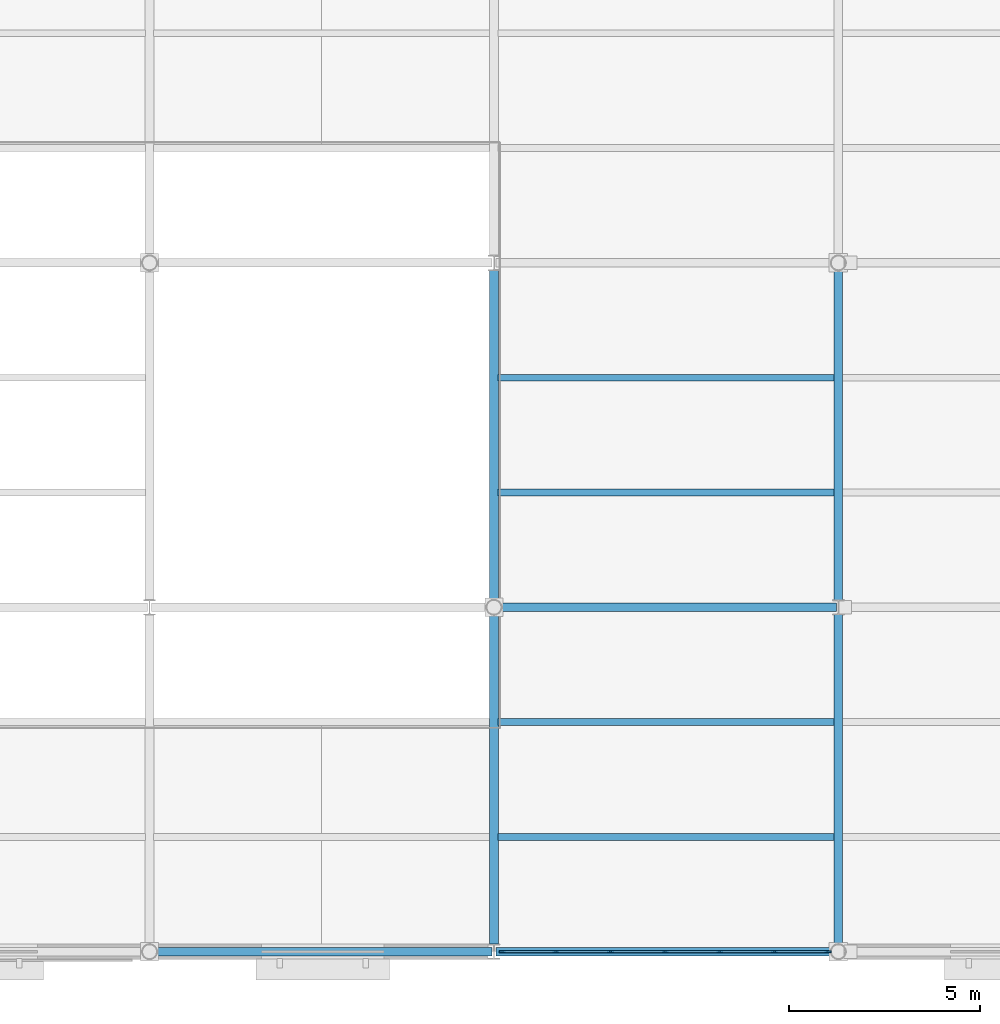
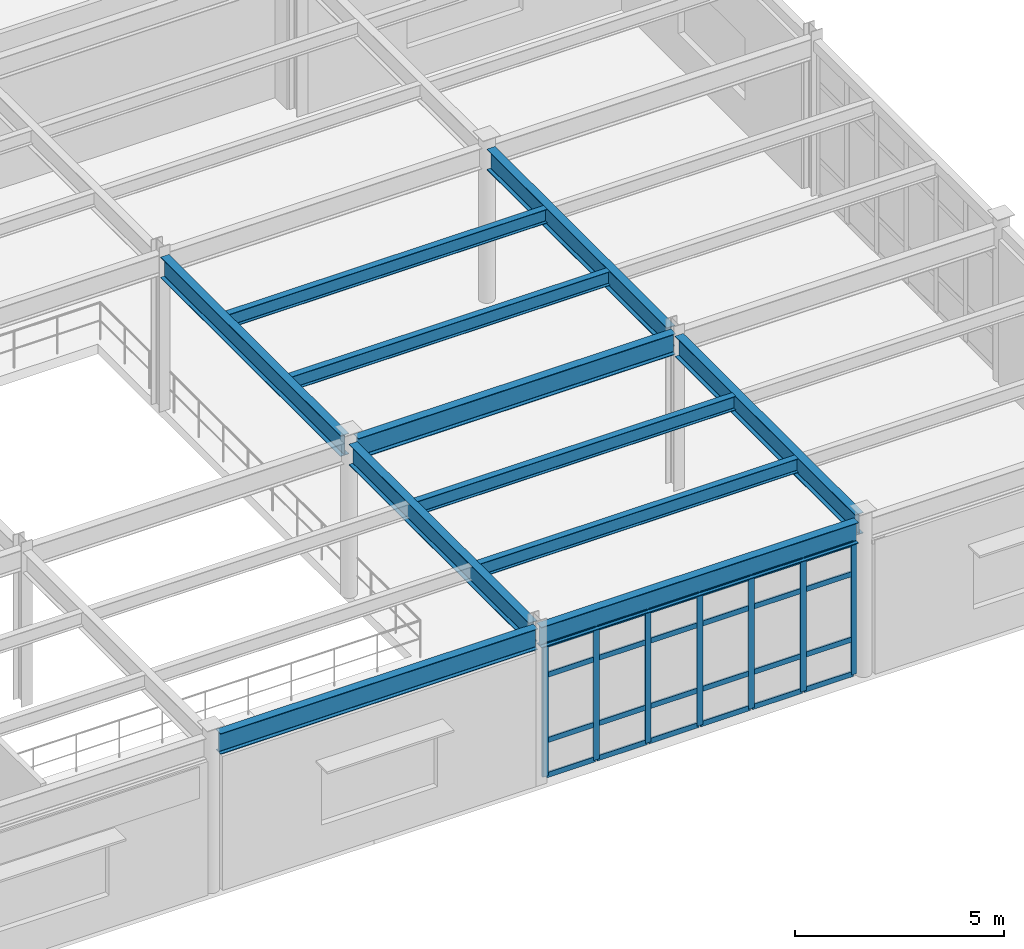
# One storey, part 27 of 86: 31 members, 11 beams, 1 element without a shape of its own.
"""IFC4 building model written with IfcOpenShell, lengths in metres."""

import ifcopenshell
import ifcopenshell.guid

model = None  # the IFC model being written
_history = None  # IfcOwnerHistory: only IFC2X3 demands one
_inside = {}  # id of a spatial element -> (the spatial element, [elements in it])
_under = {}  # id of a project, library or spatial element -> (it, [spatial elements below it])
_declared = {}  # id of a project -> (the project, [libraries it declares])
_typed = {}  # id of a type object -> (the type object, [elements of that type])
_made_of = {}  # id of a material, layer set ... -> (it, [elements and type objects made of it])


def new_model(schema):
    """Start an empty IFC model of exactly this schema.

    Asked for "IFC4X3", IfcOpenShell would pick the latest addendum, in which some entities
    have other attributes; the version numbers below select the first issue.
    IFC2X3 requires an IfcOwnerHistory on every rooted entity: one is made here for all.
    """
    global model, _history
    if schema == "IFC4X3":
        model = ifcopenshell.file(schema_version=(4, 3, 0, 0))
    else:
        model = ifcopenshell.file(schema=schema)
    _inside.clear()
    _under.clear()
    _declared.clear()
    _typed.clear()
    _made_of.clear()
    _history = None
    if model.schema == "IFC2X3":
        org = make("IfcOrganization", Name="unknown")
        user = make(
            "IfcPersonAndOrganization",
            ThePerson=make("IfcPerson", FamilyName="unknown"),
            TheOrganization=org,
        )
        app = make(
            "IfcApplication",
            ApplicationDeveloper=org,
            Version="unknown",
            ApplicationFullName="unknown",
            ApplicationIdentifier="unknown",
        )
        _history = make(
            "IfcOwnerHistory",
            OwningUser=user,
            OwningApplication=app,
            ChangeAction="ADDED",
            CreationDate=0,
        )
    return model


def make(cls, **values):
    """One entity of the class cls with the attributes given. An attribute that is None is left unset."""
    return model.create_entity(
        cls, **{name: value for name, value in values.items() if value is not None}
    )


def rooted(cls, **values):
    """An entity with a GlobalId (a new one), such as an element, a storey or a relation."""
    return make(cls, GlobalId=ifcopenshell.guid.new(), OwnerHistory=_history, **values)


def si_unit(unit_type, name, prefix=None):
    """IfcSIUnit, for example si_unit("LENGTHUNIT", "METRE", prefix="MILLI")."""
    return make("IfcSIUnit", UnitType=unit_type, Prefix=prefix, Name=name)


def assignment(units):
    """IfcUnitAssignment: the units of a project."""
    return None if units is None else make("IfcUnitAssignment", Units=units)


def point(xyz):
    """IfcCartesianPoint."""
    return None if xyz is None else make("IfcCartesianPoint", Coordinates=xyz)


def direction(xyz):
    """IfcDirection."""
    return None if xyz is None else make("IfcDirection", DirectionRatios=xyz)


def frame(location, z_axis=None, x_axis=None):
    """IfcAxis2Placement3D, a coordinate frame: its origin and axes. An axis left out is left unset."""
    return make(
        "IfcAxis2Placement3D",
        Location=point(location),
        Axis=direction(z_axis),
        RefDirection=direction(x_axis),
    )


def frame_2d(location, x_axis=None):
    """IfcAxis2Placement2D, a coordinate frame in the plane: its origin and x axis."""
    return make(
        "IfcAxis2Placement2D", Location=point(location), RefDirection=direction(x_axis)
    )


def origin():
    """The frame at (0, 0, 0) with its axes left unset."""
    return frame((0.0, 0.0, 0.0))


def origin_2d():
    """The frame at (0, 0) in the plane with its x axis left unset."""
    return frame_2d((0.0, 0.0))


def place(relative_to, where):
    """IfcLocalPlacement: puts the frame where relative to a parent placement (None: the world)."""
    return make(
        "IfcLocalPlacement", PlacementRelTo=relative_to, RelativePlacement=where
    )


def context(
    kind, dimensions, precision=None, world=None, true_north=None, identifier=None
):
    """IfcGeometricRepresentationContext, for example the 3D "Model" context."""
    return make(
        "IfcGeometricRepresentationContext",
        ContextIdentifier=identifier,
        ContextType=kind,
        CoordinateSpaceDimension=dimensions,
        Precision=precision,
        WorldCoordinateSystem=world,
        TrueNorth=true_north,
    )


def subcontext(parent, identifier, kind, view, scale=None):
    """IfcGeometricRepresentationSubContext, for example "Body" below "Model"."""
    return make(
        "IfcGeometricRepresentationSubContext",
        ContextIdentifier=identifier,
        ContextType=kind,
        ParentContext=parent,
        TargetScale=scale,
        TargetView=view,
    )


def project(units=None, contexts=None):
    """IfcProject with its units and contexts."""
    return rooted(
        "IfcProject",
        Name="project",
        RepresentationContexts=contexts,
        UnitsInContext=assignment(units),
    )


def spatial(cls, under=None, at=None, **own):
    """A site, building, storey or space (cls), placed at a placement, below another one or the project."""
    s = rooted(cls, ObjectPlacement=at, **own)
    if under is not None:
        _under.setdefault(under.id(), (under, []))[1].append(s)
    return s


def profile(cls, at=None, kind="AREA", **sizes):
    """A parametric profile (cls). Its sizes go by their IFC names, for example OverallWidth=200.0."""
    return make(cls, ProfileType=kind, Position=at, **sizes)


def rectangle(**sizes):
    """IfcRectangleProfileDef."""
    return profile("IfcRectangleProfileDef", **sizes)


def i_section(**sizes):
    """IfcIShapeProfileDef."""
    return profile("IfcIShapeProfileDef", **sizes)


def extrude(swept, where, along, depth):
    """IfcExtrudedAreaSolid: the profile swept, set in the frame where, extruded along a direction by depth."""
    return make(
        "IfcExtrudedAreaSolid",
        SweptArea=swept,
        Position=where,
        ExtrudedDirection=direction(along),
        Depth=depth,
    )


def shape(context_of_items, identifier, shape_type, items):
    """IfcShapeRepresentation: the items that make up one representation, for example the "Body"."""
    return make(
        "IfcShapeRepresentation",
        ContextOfItems=context_of_items,
        RepresentationIdentifier=identifier,
        RepresentationType=shape_type,
        Items=items,
    )


def material(Name=None, Category=None):
    """IfcMaterial."""
    return make("IfcMaterial", Name=Name, Category=Category)


def material_profile(
    of_material, cross_section, Name=None, Category=None, Priority=None
):
    """IfcMaterialProfile: a cross section and its material."""
    return make(
        "IfcMaterialProfile",
        Name=Name,
        Material=of_material,
        Profile=cross_section,
        Priority=Priority,
        Category=Category,
    )


def profile_set(profiles, Name=None, composite=None):
    """IfcMaterialProfileSet."""
    return make(
        "IfcMaterialProfileSet",
        Name=Name,
        MaterialProfiles=profiles,
        CompositeProfile=composite,
    )


def made_of(thing, what):
    """Note that an element or type object is made of a material, layer set ...; save() writes the relation."""
    if what is not None:
        _made_of.setdefault(what.id(), (what, []))[1].append(thing)
    return thing


def type_object(cls, material=None, **own):
    """A type object (cls), such as IfcWallType, which elements share."""
    return made_of(rooted(cls, **own), material)


def element(
    cls,
    number,
    at=None,
    inside=None,
    cuts=None,
    type_object=None,
    material=None,
    context=None,
    identifier="Body",
    shape_type=None,
    held_by="IfcProductDefinitionShape",
    body=None,
    shapes=None,
    **own,
):
    """One element of the class cls, such as IfcWall. Its Tag is "e" and its number.

    at: its placement. inside: the storey or other place that contains it. cuts: it is an
    opening in that element (IfcRelVoidsElement). A single representation is given by context,
    identifier, shape_type and body (its items); several are given by shapes. held_by: the class
    of the entity that holds the representations. save() writes the other relations.
    """
    e = rooted(cls, Tag="e%d" % number, ObjectPlacement=at, **own)
    if body is not None:
        shapes = [shape(context, identifier, shape_type, body)]
    if shapes is not None:
        e.Representation = make(held_by, Representations=shapes)
    if inside is not None:
        _inside.setdefault(inside.id(), (inside, []))[1].append(e)
    if cuts is not None:
        rooted(
            "IfcRelVoidsElement", RelatingBuildingElement=cuts, RelatedOpeningElement=e
        )
    if type_object is not None:
        _typed.setdefault(type_object.id(), (type_object, []))[1].append(e)
    return made_of(e, material)


def aggregate(whole, parts):
    """IfcRelAggregates: a whole, such as a stair, and the parts it consists of."""
    return rooted("IfcRelAggregates", RelatingObject=whole, RelatedObjects=parts)


def save(model, path):
    """Write the relations noted so far, then the file.

    IfcRelAggregates (storeys below a building ...), IfcRelContainedInSpatialStructure (elements
    in a storey), IfcRelDefinesByType, IfcRelAssociatesMaterial and IfcRelDeclares: one each for
    every whole, place, type object, material and project.
    """
    for whole, parts in _under.values():
        aggregate(whole, parts)
    for where, things in _inside.values():
        rooted(
            "IfcRelContainedInSpatialStructure",
            RelatedElements=things,
            RelatingStructure=where,
        )
    for kind, things in _typed.values():
        rooted("IfcRelDefinesByType", RelatedObjects=things, RelatingType=kind)
    for what, things in _made_of.values():
        rooted("IfcRelAssociatesMaterial", RelatedObjects=things, RelatingMaterial=what)
    for by, libraries in _declared.values():
        rooted("IfcRelDeclares", RelatingContext=by, RelatedDefinitions=libraries)
    model.write(path)


model = new_model("IFC4")

# Units and contexts
model_context = context("Model", 3, precision=1e-05, world=origin(), true_north=direction((0.0, 1.0)))
body_context = subcontext(model_context, "Body", "Model", "MODEL_VIEW")
ifc_project = project(units=[si_unit("LENGTHUNIT", "METRE"), si_unit("AREAUNIT", "SQUARE_METRE"), si_unit("VOLUMEUNIT", "CUBIC_METRE"), si_unit("PLANEANGLEUNIT", "RADIAN"), si_unit("MASSUNIT", "GRAM", prefix="KILO")], contexts=[model_context])

# Site, building, storey
site_placement = place(None, origin())
site = spatial("IfcSite", under=ifc_project, at=site_placement, CompositionType="ELEMENT")
building_placement = place(site_placement, origin())
building = spatial("IfcBuilding", under=site, at=building_placement, Name="Glasvene Arena", CompositionType="ELEMENT")
storey_placement = place(building_placement, frame((0.0, 0.0, 5.39990234375)))
storey = spatial("IfcBuildingStorey", under=building, at=storey_placement, Name="L01", CompositionType="ELEMENT", Elevation=5.39990234375)

# Beams
ifc_material_1 = material(Name="Steel S355J2", Category="steel")
ifc_material_profile_1 = material_profile(ifc_material_1, i_section(OverallWidth=0.228271484375, OverallDepth=0.607666015625, WebThickness=0.010986328125, FlangeThickness=0.017333984375, FilletRadius=0.0126953125, at=origin_2d()), Name="UKB 610x229x113")
ifc_profile_set_1 = profile_set([ifc_material_profile_1], Name="Steel S355J2")
beam_type_1 = type_object("IfcBeamType", Name="BM-GIRD-610", PredefinedType="BEAM", material=ifc_profile_set_1)
for number, where, z_axis, x_axis, name in (
    (1, (27.1982421875, 0.0, 4.21630859375), (1.0, 0.0, 0.0), (0.0, 1.0, 0.0), "Primary X girder L01-0525"),
    (2, (36.050048828125, 0.0, 4.21630859375), (1.0, 0.0, 0.0), (0.0, 1.0, 0.0), "Primary X girder L01-0526"),
    (3, (36.1982421875, 9.0, 4.21630859375), (1.0, 0.0, 0.0), (0.0, 1.0, 0.0), "Primary X girder L01-0532"),
):
    element("IfcBeam", number, at=place(storey_placement, frame(where, z_axis=z_axis, x_axis=x_axis)), inside=storey, type_object=beam_type_1, Name=name, PredefinedType="BEAM", context=body_context, shape_type="SweptSolid", body=[
        extrude(i_section(OverallWidth=0.228271484375, OverallDepth=0.607666015625, WebThickness=0.010986328125, FlangeThickness=0.017333984375, FilletRadius=0.0126953125, at=origin_2d()), origin(), (0.0, 0.0, 1.0), 8.751708984375),
    ])
for number, where, z_axis, x_axis, name in (
    (4, (36.0, 0.195068359375, 4.21630859375), (0.0, 1.0, 0.0), (-1.0, 0.0, 0.0), "Primary Y girder L01-0635"),
    (5, (36.0, 9.1982421875, 4.21630859375), (0.0, 1.0, 0.0), (-1.0, 0.0, 0.0), "Primary Y girder L01-0636"),
    (6, (45.0, 0.1982421875, 4.21630859375), (0.0, 1.0, 0.0), (-1.0, 0.0, 0.0), "Primary Y girder L01-0641"),
    (7, (45.0, 9.195068359375, 4.21630859375), (0.0, 1.0, 0.0), (-1.0, 0.0, 0.0), "Primary Y girder L01-0642"),
):
    element("IfcBeam", number, at=place(storey_placement, frame(where, z_axis=z_axis, x_axis=x_axis)), inside=storey, type_object=beam_type_1, Name=name, PredefinedType="BEAM", context=body_context, shape_type="SweptSolid", body=[
        extrude(i_section(OverallWidth=0.228271484375, OverallDepth=0.607666015625, WebThickness=0.010986328125, FlangeThickness=0.017333984375, FilletRadius=0.0126953125, at=origin_2d()), origin(), (0.0, 0.0, 1.0), 8.606689453125),
    ])
ifc_material_profile_2 = material_profile(ifc_material_1, i_section(OverallWidth=0.177978515625, OverallDepth=0.406494140625, WebThickness=0.0078125, FlangeThickness=0.0126953125, FilletRadius=0.01025390625, at=origin_2d()), Name="UKB 406x178x60")
ifc_profile_set_2 = profile_set([ifc_material_profile_2], Name="Steel S355J2")
beam_type_2 = type_object("IfcBeamType", Name="BM-JOIST-406", PredefinedType="JOIST", material=ifc_profile_set_2)
for number, where, z_axis, x_axis, name in (
    (8, (36.110107421875, 3.0, 4.31689453125), (1.0, 0.0, 0.0), (0.0, 1.0, 0.0), "Composite floor joist L01-0723"),
    (9, (36.110107421875, 6.0, 4.31689453125), (1.0, 0.0, 0.0), (0.0, 1.0, 0.0), "Composite floor joist L01-0724"),
    (10, (36.110107421875, 12.0, 4.31689453125), (1.0, 0.0, 0.0), (0.0, 1.0, 0.0), "Composite floor joist L01-0725"),
    (11, (36.110107421875, 15.0, 4.31689453125), (1.0, 0.0, 0.0), (0.0, 1.0, 0.0), "Composite floor joist L01-0726"),
):
    element("IfcBeam", number, at=place(storey_placement, frame(where, z_axis=z_axis, x_axis=x_axis)), inside=storey, type_object=beam_type_2, Name=name, PredefinedType="JOIST", context=body_context, shape_type="SweptSolid", body=[
        extrude(i_section(OverallWidth=0.177978515625, OverallDepth=0.406494140625, WebThickness=0.0078125, FlangeThickness=0.0126953125, FilletRadius=0.01025390625, at=origin_2d()), origin(), (0.0, 0.0, 1.0), 8.77978515625),
    ])

# Curtain wall, members
ifc_material_2 = material(Name="Low-emissivity laminated double glazing", Category="glass")
curtain_wall_type = type_object("IfcCurtainWallType", Name="CW-FAC-L01-856x385", PredefinedType="USERDEFINED", material=ifc_material_2)
curtain_wall_placement = place(storey_placement, frame((44.7548828125, 0.0, 0.0)))
curtain_wall = element("IfcCurtainWall", 12, at=curtain_wall_placement, inside=storey, type_object=curtain_wall_type, Name="Unitised curtain wall CW-F-L01-150-405-0-58", ObjectType="CURTAIN WALL", PredefinedType="USERDEFINED")
ifc_material_3 = material(Name="Anodised architectural aluminium", Category="aluminium")
ifc_material_profile_3 = material_profile(ifc_material_3, rectangle(XDim=0.050048828125, YDim=0.159912109375, at=origin_2d()), Name="ALU MULLION 50x160")
ifc_profile_set_3 = profile_set([ifc_material_profile_3], Name="Anodised architectural aluminium")
member_type_1 = type_object("IfcMemberType", Name="CW-MUL-150", PredefinedType="MULLION", material=ifc_profile_set_3)
member_1_placement = place(storey_placement, frame((44.729736328125, 0.0, 0.06005859375), z_axis=(0.0, 0.0, 1.0), x_axis=(0.0, -1.0, 0.0)))
member_1 = element("IfcMember", 13, at=member_1_placement, type_object=member_type_1, Name="CW-017 mullion 1", PredefinedType="MULLION", context=body_context, shape_type="SweptSolid", body=[
    extrude(rectangle(XDim=0.050048828125, YDim=0.159912109375, at=origin_2d()), origin(), (0.0, 0.0, 1.0), 3.846923828125),
])
member_2_placement = place(storey_placement, frame((43.32763671875, 0.0, 0.06005859375), z_axis=(0.0, 0.0, 1.0), x_axis=(0.0, -1.0, 0.0)))
member_2 = element("IfcMember", 14, at=member_2_placement, type_object=member_type_1, Name="CW-017 mullion 2", PredefinedType="MULLION", context=body_context, shape_type="SweptSolid", body=[
    extrude(rectangle(XDim=0.050048828125, YDim=0.159912109375, at=origin_2d()), origin(), (0.0, 0.0, 1.0), 3.846923828125),
])
member_3_placement = place(storey_placement, frame((41.900634765625, 0.0, 0.06005859375), z_axis=(0.0, 0.0, 1.0), x_axis=(0.0, -1.0, 0.0)))
member_3 = element("IfcMember", 15, at=member_3_placement, type_object=member_type_1, Name="CW-017 mullion 3", PredefinedType="MULLION", context=body_context, shape_type="SweptSolid", body=[
    extrude(rectangle(XDim=0.050048828125, YDim=0.159912109375, at=origin_2d()), origin(), (0.0, 0.0, 1.0), 3.846923828125),
])
member_4_placement = place(storey_placement, frame((40.473388671875, 0.0, 0.06005859375), z_axis=(0.0, 0.0, 1.0), x_axis=(0.0, -1.0, 0.0)))
member_4 = element("IfcMember", 16, at=member_4_placement, type_object=member_type_1, Name="CW-017 mullion 4", PredefinedType="MULLION", context=body_context, shape_type="SweptSolid", body=[
    extrude(rectangle(XDim=0.050048828125, YDim=0.159912109375, at=origin_2d()), origin(), (0.0, 0.0, 1.0), 3.846923828125),
])
member_5_placement = place(storey_placement, frame((39.04638671875, 0.0, 0.06005859375), z_axis=(0.0, 0.0, 1.0), x_axis=(0.0, -1.0, 0.0)))
member_5 = element("IfcMember", 17, at=member_5_placement, type_object=member_type_1, Name="CW-017 mullion 5", PredefinedType="MULLION", context=body_context, shape_type="SweptSolid", body=[
    extrude(rectangle(XDim=0.050048828125, YDim=0.159912109375, at=origin_2d()), origin(), (0.0, 0.0, 1.0), 3.846923828125),
])
member_6_placement = place(storey_placement, frame((37.619140625, 0.0, 0.06005859375), z_axis=(0.0, 0.0, 1.0), x_axis=(0.0, -1.0, 0.0)))
member_6 = element("IfcMember", 18, at=member_6_placement, type_object=member_type_1, Name="CW-017 mullion 6", PredefinedType="MULLION", context=body_context, shape_type="SweptSolid", body=[
    extrude(rectangle(XDim=0.050048828125, YDim=0.159912109375, at=origin_2d()), origin(), (0.0, 0.0, 1.0), 3.846923828125),
])
member_7_placement = place(storey_placement, frame((36.217041015625, 0.0, 0.06005859375), z_axis=(0.0, 0.0, 1.0), x_axis=(0.0, -1.0, 0.0)))
member_7 = element("IfcMember", 19, at=member_7_placement, type_object=member_type_1, Name="CW-017 mullion 7", PredefinedType="MULLION", context=body_context, shape_type="SweptSolid", body=[
    extrude(rectangle(XDim=0.050048828125, YDim=0.159912109375, at=origin_2d()), origin(), (0.0, 0.0, 1.0), 3.846923828125),
])
ifc_material_profile_4 = material_profile(ifc_material_3, rectangle(XDim=0.050048828125, YDim=0.14990234375, at=origin_2d()), Name="ALU TRANSOM 50x150")
ifc_profile_set_4 = profile_set([ifc_material_profile_4], Name="Anodised architectural aluminium")
member_type_2 = type_object("IfcMemberType", Name="CW-TRN-150", PredefinedType="USERDEFINED", material=ifc_profile_set_4)
member_8_placement = place(storey_placement, frame((44.704833984375, 0.0, 0.085205078125), z_axis=(-1.0, 0.0, 0.0), x_axis=(0.0, -1.0, 0.0)))
member_8 = element("IfcMember", 20, at=member_8_placement, type_object=member_type_2, Name="CW-017 transom 1.1", ObjectType="TRANSOM", PredefinedType="USERDEFINED", context=body_context, shape_type="SweptSolid", body=[
    extrude(rectangle(XDim=0.050048828125, YDim=0.14990234375, at=origin_2d()), origin(), (0.0, 0.0, 1.0), 1.35205078125),
])
member_9_placement = place(storey_placement, frame((44.704833984375, 0.0, 1.10009765625), z_axis=(-1.0, 0.0, 0.0), x_axis=(0.0, -1.0, 0.0)))
member_9 = element("IfcMember", 21, at=member_9_placement, type_object=member_type_2, Name="CW-017 transom 1.2", ObjectType="TRANSOM", PredefinedType="USERDEFINED", context=body_context, shape_type="SweptSolid", body=[
    extrude(rectangle(XDim=0.050048828125, YDim=0.14990234375, at=origin_2d()), origin(), (0.0, 0.0, 1.0), 1.35205078125),
])
member_10_placement = place(storey_placement, frame((44.704833984375, 0.0, 3.007080078125), z_axis=(-1.0, 0.0, 0.0), x_axis=(0.0, -1.0, 0.0)))
member_10 = element("IfcMember", 22, at=member_10_placement, type_object=member_type_2, Name="CW-017 transom 1.3", ObjectType="TRANSOM", PredefinedType="USERDEFINED", context=body_context, shape_type="SweptSolid", body=[
    extrude(rectangle(XDim=0.050048828125, YDim=0.14990234375, at=origin_2d()), origin(), (0.0, 0.0, 1.0), 1.35205078125),
])
member_11_placement = place(storey_placement, frame((44.704833984375, 0.0, 3.882080078125), z_axis=(-1.0, 0.0, 0.0), x_axis=(0.0, -1.0, 0.0)))
member_11 = element("IfcMember", 23, at=member_11_placement, type_object=member_type_2, Name="CW-017 transom 1.4", ObjectType="TRANSOM", PredefinedType="USERDEFINED", context=body_context, shape_type="SweptSolid", body=[
    extrude(rectangle(XDim=0.050048828125, YDim=0.14990234375, at=origin_2d()), origin(), (0.0, 0.0, 1.0), 1.35205078125),
])
member_12_placement = place(storey_placement, frame((43.302734375, 0.0, 0.085205078125), z_axis=(-1.0, 0.0, 0.0), x_axis=(0.0, -1.0, 0.0)))
member_12 = element("IfcMember", 24, at=member_12_placement, type_object=member_type_2, Name="CW-017 transom 2.1", ObjectType="TRANSOM", PredefinedType="USERDEFINED", context=body_context, shape_type="SweptSolid", body=[
    extrude(rectangle(XDim=0.050048828125, YDim=0.14990234375, at=origin_2d()), origin(), (0.0, 0.0, 1.0), 1.377197265625),
])
member_13_placement = place(storey_placement, frame((43.302734375, 0.0, 1.10009765625), z_axis=(-1.0, 0.0, 0.0), x_axis=(0.0, -1.0, 0.0)))
member_13 = element("IfcMember", 25, at=member_13_placement, type_object=member_type_2, Name="CW-017 transom 2.2", ObjectType="TRANSOM", PredefinedType="USERDEFINED", context=body_context, shape_type="SweptSolid", body=[
    extrude(rectangle(XDim=0.050048828125, YDim=0.14990234375, at=origin_2d()), origin(), (0.0, 0.0, 1.0), 1.377197265625),
])
member_14_placement = place(storey_placement, frame((43.302734375, 0.0, 3.007080078125), z_axis=(-1.0, 0.0, 0.0), x_axis=(0.0, -1.0, 0.0)))
member_14 = element("IfcMember", 26, at=member_14_placement, type_object=member_type_2, Name="CW-017 transom 2.3", ObjectType="TRANSOM", PredefinedType="USERDEFINED", context=body_context, shape_type="SweptSolid", body=[
    extrude(rectangle(XDim=0.050048828125, YDim=0.14990234375, at=origin_2d()), origin(), (0.0, 0.0, 1.0), 1.377197265625),
])
member_15_placement = place(storey_placement, frame((43.302734375, 0.0, 3.882080078125), z_axis=(-1.0, 0.0, 0.0), x_axis=(0.0, -1.0, 0.0)))
member_15 = element("IfcMember", 27, at=member_15_placement, type_object=member_type_2, Name="CW-017 transom 2.4", ObjectType="TRANSOM", PredefinedType="USERDEFINED", context=body_context, shape_type="SweptSolid", body=[
    extrude(rectangle(XDim=0.050048828125, YDim=0.14990234375, at=origin_2d()), origin(), (0.0, 0.0, 1.0), 1.377197265625),
])
member_16_placement = place(storey_placement, frame((41.87548828125, 0.0, 0.085205078125), z_axis=(-1.0, 0.0, 0.0), x_axis=(0.0, -1.0, 0.0)))
member_16 = element("IfcMember", 28, at=member_16_placement, type_object=member_type_2, Name="CW-017 transom 3.1", ObjectType="TRANSOM", PredefinedType="USERDEFINED", context=body_context, shape_type="SweptSolid", body=[
    extrude(rectangle(XDim=0.050048828125, YDim=0.14990234375, at=origin_2d()), origin(), (0.0, 0.0, 1.0), 1.377197265625),
])
member_17_placement = place(storey_placement, frame((41.87548828125, 0.0, 1.10009765625), z_axis=(-1.0, 0.0, 0.0), x_axis=(0.0, -1.0, 0.0)))
member_17 = element("IfcMember", 29, at=member_17_placement, type_object=member_type_2, Name="CW-017 transom 3.2", ObjectType="TRANSOM", PredefinedType="USERDEFINED", context=body_context, shape_type="SweptSolid", body=[
    extrude(rectangle(XDim=0.050048828125, YDim=0.14990234375, at=origin_2d()), origin(), (0.0, 0.0, 1.0), 1.377197265625),
])
member_18_placement = place(storey_placement, frame((41.87548828125, 0.0, 3.007080078125), z_axis=(-1.0, 0.0, 0.0), x_axis=(0.0, -1.0, 0.0)))
member_18 = element("IfcMember", 30, at=member_18_placement, type_object=member_type_2, Name="CW-017 transom 3.3", ObjectType="TRANSOM", PredefinedType="USERDEFINED", context=body_context, shape_type="SweptSolid", body=[
    extrude(rectangle(XDim=0.050048828125, YDim=0.14990234375, at=origin_2d()), origin(), (0.0, 0.0, 1.0), 1.377197265625),
])
member_19_placement = place(storey_placement, frame((41.87548828125, 0.0, 3.882080078125), z_axis=(-1.0, 0.0, 0.0), x_axis=(0.0, -1.0, 0.0)))
member_19 = element("IfcMember", 31, at=member_19_placement, type_object=member_type_2, Name="CW-017 transom 3.4", ObjectType="TRANSOM", PredefinedType="USERDEFINED", context=body_context, shape_type="SweptSolid", body=[
    extrude(rectangle(XDim=0.050048828125, YDim=0.14990234375, at=origin_2d()), origin(), (0.0, 0.0, 1.0), 1.377197265625),
])
member_20_placement = place(storey_placement, frame((40.448486328125, 0.0, 0.085205078125), z_axis=(-1.0, 0.0, 0.0), x_axis=(0.0, -1.0, 0.0)))
member_20 = element("IfcMember", 32, at=member_20_placement, type_object=member_type_2, Name="CW-017 transom 4.1", ObjectType="TRANSOM", PredefinedType="USERDEFINED", context=body_context, shape_type="SweptSolid", body=[
    extrude(rectangle(XDim=0.050048828125, YDim=0.14990234375, at=origin_2d()), origin(), (0.0, 0.0, 1.0), 1.377197265625),
])
member_21_placement = place(storey_placement, frame((40.448486328125, 0.0, 1.10009765625), z_axis=(-1.0, 0.0, 0.0), x_axis=(0.0, -1.0, 0.0)))
member_21 = element("IfcMember", 33, at=member_21_placement, type_object=member_type_2, Name="CW-017 transom 4.2", ObjectType="TRANSOM", PredefinedType="USERDEFINED", context=body_context, shape_type="SweptSolid", body=[
    extrude(rectangle(XDim=0.050048828125, YDim=0.14990234375, at=origin_2d()), origin(), (0.0, 0.0, 1.0), 1.377197265625),
])
member_22_placement = place(storey_placement, frame((40.448486328125, 0.0, 3.007080078125), z_axis=(-1.0, 0.0, 0.0), x_axis=(0.0, -1.0, 0.0)))
member_22 = element("IfcMember", 34, at=member_22_placement, type_object=member_type_2, Name="CW-017 transom 4.3", ObjectType="TRANSOM", PredefinedType="USERDEFINED", context=body_context, shape_type="SweptSolid", body=[
    extrude(rectangle(XDim=0.050048828125, YDim=0.14990234375, at=origin_2d()), origin(), (0.0, 0.0, 1.0), 1.377197265625),
])
member_23_placement = place(storey_placement, frame((40.448486328125, 0.0, 3.882080078125), z_axis=(-1.0, 0.0, 0.0), x_axis=(0.0, -1.0, 0.0)))
member_23 = element("IfcMember", 35, at=member_23_placement, type_object=member_type_2, Name="CW-017 transom 4.4", ObjectType="TRANSOM", PredefinedType="USERDEFINED", context=body_context, shape_type="SweptSolid", body=[
    extrude(rectangle(XDim=0.050048828125, YDim=0.14990234375, at=origin_2d()), origin(), (0.0, 0.0, 1.0), 1.377197265625),
])
member_24_placement = place(storey_placement, frame((39.021240234375, 0.0, 0.085205078125), z_axis=(-1.0, 0.0, 0.0), x_axis=(0.0, -1.0, 0.0)))
member_24 = element("IfcMember", 36, at=member_24_placement, type_object=member_type_2, Name="CW-017 transom 5.1", ObjectType="TRANSOM", PredefinedType="USERDEFINED", context=body_context, shape_type="SweptSolid", body=[
    extrude(rectangle(XDim=0.050048828125, YDim=0.14990234375, at=origin_2d()), origin(), (0.0, 0.0, 1.0), 1.377197265625),
])
member_25_placement = place(storey_placement, frame((39.021240234375, 0.0, 1.10009765625), z_axis=(-1.0, 0.0, 0.0), x_axis=(0.0, -1.0, 0.0)))
member_25 = element("IfcMember", 37, at=member_25_placement, type_object=member_type_2, Name="CW-017 transom 5.2", ObjectType="TRANSOM", PredefinedType="USERDEFINED", context=body_context, shape_type="SweptSolid", body=[
    extrude(rectangle(XDim=0.050048828125, YDim=0.14990234375, at=origin_2d()), origin(), (0.0, 0.0, 1.0), 1.377197265625),
])
member_26_placement = place(storey_placement, frame((39.021240234375, 0.0, 3.007080078125), z_axis=(-1.0, 0.0, 0.0), x_axis=(0.0, -1.0, 0.0)))
member_26 = element("IfcMember", 38, at=member_26_placement, type_object=member_type_2, Name="CW-017 transom 5.3", ObjectType="TRANSOM", PredefinedType="USERDEFINED", context=body_context, shape_type="SweptSolid", body=[
    extrude(rectangle(XDim=0.050048828125, YDim=0.14990234375, at=origin_2d()), origin(), (0.0, 0.0, 1.0), 1.377197265625),
])
member_27_placement = place(storey_placement, frame((39.021240234375, 0.0, 3.882080078125), z_axis=(-1.0, 0.0, 0.0), x_axis=(0.0, -1.0, 0.0)))
member_27 = element("IfcMember", 39, at=member_27_placement, type_object=member_type_2, Name="CW-017 transom 5.4", ObjectType="TRANSOM", PredefinedType="USERDEFINED", context=body_context, shape_type="SweptSolid", body=[
    extrude(rectangle(XDim=0.050048828125, YDim=0.14990234375, at=origin_2d()), origin(), (0.0, 0.0, 1.0), 1.377197265625),
])
member_28_placement = place(storey_placement, frame((37.59423828125, 0.0, 0.085205078125), z_axis=(-1.0, 0.0, 0.0), x_axis=(0.0, -1.0, 0.0)))
member_28 = element("IfcMember", 40, at=member_28_placement, type_object=member_type_2, Name="CW-017 transom 6.1", ObjectType="TRANSOM", PredefinedType="USERDEFINED", context=body_context, shape_type="SweptSolid", body=[
    extrude(rectangle(XDim=0.050048828125, YDim=0.14990234375, at=origin_2d()), origin(), (0.0, 0.0, 1.0), 1.352294921875),
])
member_29_placement = place(storey_placement, frame((37.59423828125, 0.0, 1.10009765625), z_axis=(-1.0, 0.0, 0.0), x_axis=(0.0, -1.0, 0.0)))
member_29 = element("IfcMember", 41, at=member_29_placement, type_object=member_type_2, Name="CW-017 transom 6.2", ObjectType="TRANSOM", PredefinedType="USERDEFINED", context=body_context, shape_type="SweptSolid", body=[
    extrude(rectangle(XDim=0.050048828125, YDim=0.14990234375, at=origin_2d()), origin(), (0.0, 0.0, 1.0), 1.352294921875),
])
member_30_placement = place(storey_placement, frame((37.59423828125, 0.0, 3.007080078125), z_axis=(-1.0, 0.0, 0.0), x_axis=(0.0, -1.0, 0.0)))
member_30 = element("IfcMember", 42, at=member_30_placement, type_object=member_type_2, Name="CW-017 transom 6.3", ObjectType="TRANSOM", PredefinedType="USERDEFINED", context=body_context, shape_type="SweptSolid", body=[
    extrude(rectangle(XDim=0.050048828125, YDim=0.14990234375, at=origin_2d()), origin(), (0.0, 0.0, 1.0), 1.352294921875),
])
member_31_placement = place(storey_placement, frame((37.59423828125, 0.0, 3.882080078125), z_axis=(-1.0, 0.0, 0.0), x_axis=(0.0, -1.0, 0.0)))
member_31 = element("IfcMember", 43, at=member_31_placement, type_object=member_type_2, Name="CW-017 transom 6.4", ObjectType="TRANSOM", PredefinedType="USERDEFINED", context=body_context, shape_type="SweptSolid", body=[
    extrude(rectangle(XDim=0.050048828125, YDim=0.14990234375, at=origin_2d()), origin(), (0.0, 0.0, 1.0), 1.352294921875),
])
aggregate(curtain_wall, [member_1, member_2, member_3, member_4, member_5, member_6, member_7, member_8, member_9, member_10, member_11, member_12, member_13, member_14, member_15, member_16, member_17, member_18, member_19, member_20, member_21, member_22, member_23, member_24, member_25, member_26, member_27, member_28, member_29, member_30, member_31])

save(model, "model.ifc")
